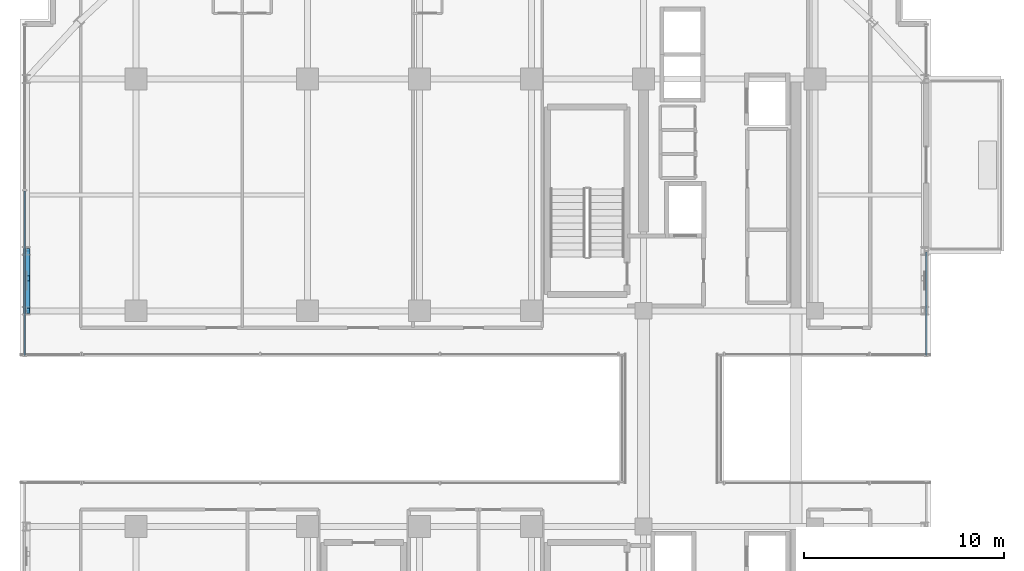
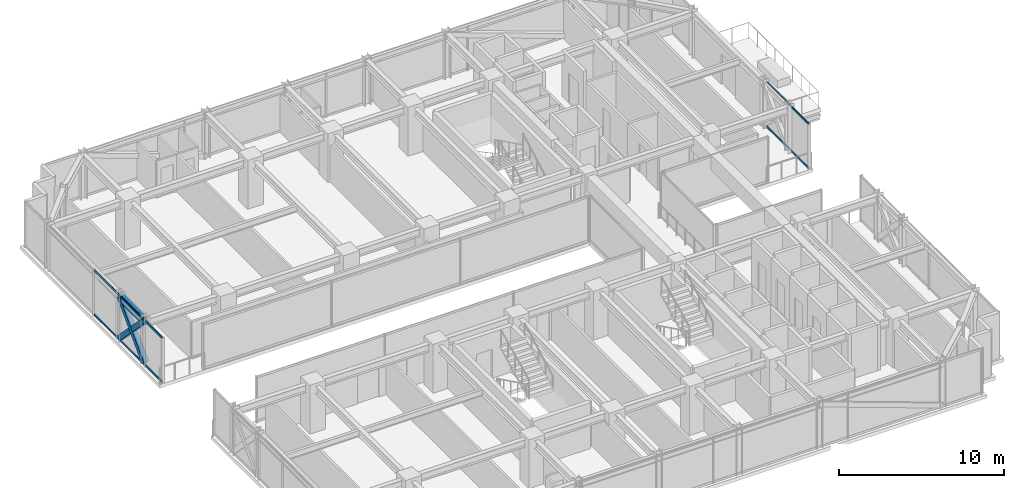
# One storey, part 18 of 38: 7 members, 1 beam, 2 elements without a shape of their own.
"""IFC4 building model written with IfcOpenShell, lengths in metres."""

from ifc_helpers import new_model, si_unit, direction, frame, origin, origin_2d, place, context, subcontext, project, spatial, hollow_rectangle, i_section, extrude, source, transform, mapped, material, material_profile, profile_set, type_object, element, aggregate, save


model = new_model("IFC4")

# Units and contexts
model_context = context("Model", 3, precision=1e-05, world=origin(), true_north=direction((0.0, 1.0)))
body_context = subcontext(model_context, "Body", "Model", "MODEL_VIEW")
ifc_project = project(units=[si_unit("LENGTHUNIT", "METRE"), si_unit("AREAUNIT", "SQUARE_METRE"), si_unit("VOLUMEUNIT", "CUBIC_METRE"), si_unit("PLANEANGLEUNIT", "RADIAN"), si_unit("MASSUNIT", "GRAM", prefix="KILO")], contexts=[model_context])

# Site, building, storey
site_placement = place(None, origin())
site = spatial("IfcSite", under=ifc_project, at=site_placement, CompositionType="ELEMENT")
building_placement = place(site_placement, origin())
building = spatial("IfcBuilding", under=site, at=building_placement, Name="Nahalor Promenade Grand Hotel", CompositionType="ELEMENT")
storey_placement = place(building_placement, frame((0.0, 0.0, 178.199951171875)))
storey = spatial("IfcBuildingStorey", under=building, at=storey_placement, Name="L45", CompositionType="ELEMENT", Elevation=178.199951171875)

# Beam
ifc_material_1 = material(Name="Steel S355JR", Category="steel")
ifc_material_profile_1 = material_profile(ifc_material_1, i_section(OverallWidth=0.3, OverallDepth=0.45, WebThickness=0.014, FlangeThickness=0.026, at=origin_2d()), Name="HEB 450")
ifc_profile_set_1 = profile_set([ifc_material_profile_1], Name="Steel S355JR")
beam_type = type_object("IfcBeamType", Name="Beam-Spandrel-HEB450", PredefinedType="SPANDREL", material=ifc_profile_set_1)
shared_shape_1 = source(origin(), body_context, "Body", "SweptSolid", [
    extrude(i_section(OverallWidth=0.3, OverallDepth=0.45, WebThickness=0.014, FlangeThickness=0.026, at=origin_2d()), origin(), (0.0, 0.0, 1.0), 3.0),
])
beam_placement = place(storey_placement, frame((-22.47998046875, 5.39990234375, 3.1650390625), z_axis=(0.0, 1.0, 0.0), x_axis=(-1.0, 0.0, 0.0)))
element("IfcBeam", 1, at=beam_placement, inside=storey, type_object=beam_type, Name="BM-L45-SP-W-3", PredefinedType="SPANDREL", context=body_context, shape_type="MappedRepresentation", body=[
    mapped(shared_shape_1, transform((0.0, 0.0, 0.0), scale=1.0)),
])

# Members
ifc_material_profile_2 = material_profile(ifc_material_1, hollow_rectangle(XDim=0.35, YDim=0.35, WallThickness=0.02, at=origin_2d()), Name="SHS 350x350x20")
ifc_profile_set_2 = profile_set([ifc_material_profile_2], Name="Steel S355JR")
member_type_1 = type_object("IfcMemberType", Name="Mem-VoidBrace-SHS350", PredefinedType="BRACE", material=ifc_profile_set_2)
shared_shape_2 = source(origin(), body_context, "Body", "SweptSolid", [
    extrude(hollow_rectangle(XDim=0.35, YDim=0.35, WallThickness=0.02, at=origin_2d()), origin(), (0.0, 0.0, 1.0), 4.306640625),
])
member_1_placement = place(storey_placement, frame((-22.47998046875, 5.39990234375, 0.150146484375), z_axis=(0.0, 0.696598997639, 0.717460686371), x_axis=(-1.0, 0.0, 0.0)))
element("IfcMember", 2, at=member_1_placement, inside=storey, type_object=member_type_1, Name="EXO-L45-VX1-W1", PredefinedType="BRACE", context=body_context, shape_type="MappedRepresentation", body=[
    mapped(shared_shape_2, transform((0.0, 0.0, 0.0), scale=1.0)),
])
shared_shape_3 = source(origin(), body_context, "Body", "SweptSolid", [
    extrude(hollow_rectangle(XDim=0.35, YDim=0.35, WallThickness=0.02, at=origin_2d()), origin(), (0.0, 0.0, 1.0), 1.96630859375),
])
member_2_placement = place(storey_placement, frame((-22.47998046875, 6.769775390625, 1.829345703125), z_axis=(0.0, -0.696663391113, 0.71739815966), x_axis=(1.0, 0.0, 0.0)))
element("IfcMember", 3, at=member_2_placement, inside=storey, type_object=member_type_1, Name="EXO-L45-VX2-W1B", PredefinedType="BRACE", context=body_context, shape_type="MappedRepresentation", body=[
    mapped(shared_shape_3, transform((0.0, 0.0, 0.0), scale=1.0)),
])
shared_shape_4 = source(origin(), body_context, "Body", "SweptSolid", [
    extrude(hollow_rectangle(XDim=0.35, YDim=0.35, WallThickness=0.02, at=origin_2d()), origin(), (0.0, 0.0, 1.0), 1.966064453125),
])
member_3_placement = place(storey_placement, frame((-22.47998046875, 8.39990234375, 0.150146484375), z_axis=(0.0, -0.696599482471, 0.717460215636), x_axis=(1.0, 0.0, 0.0)))
element("IfcMember", 4, at=member_3_placement, inside=storey, type_object=member_type_1, Name="EXO-L45-VX2-W1A", PredefinedType="BRACE", context=body_context, shape_type="MappedRepresentation", body=[
    mapped(shared_shape_4, transform((0.0, 0.0, 0.0), scale=1.0)),
])

# Curtain wall, members
ifc_material_2 = material(Name="Anodised Bronze Aluminium EN AW-6063 T6", Category="aluminium")
curtain_wall_type = type_object("IfcCurtainWallType", Name="CW3 Elliptical-Void Collar Unitised Curtain Wall", PredefinedType="USERDEFINED", material=ifc_material_2)
curtain_wall_1_placement = place(storey_placement, origin())
curtain_wall_1 = element("IfcCurtainWall", 5, at=curtain_wall_1_placement, inside=storey, type_object=curtain_wall_type, Name="L45 Curtain Wall CW-L45-E-2", ObjectType="UNITISED_CURTAIN_WALL", PredefinedType="USERDEFINED")
ifc_material_profile_3 = material_profile(ifc_material_2, hollow_rectangle(XDim=0.07, YDim=0.14, WallThickness=0.004, at=origin_2d()), Name="CWT 70x140x4")
ifc_profile_set_3 = profile_set([ifc_material_profile_3], Name="Anodised Bronze Aluminium EN AW-6063 T6")
member_type_2 = type_object("IfcMemberType", Name="CWT3 Void Collar Transom 70x140", PredefinedType="USERDEFINED", material=ifc_profile_set_3)
shared_shape_5 = source(origin(), body_context, "Body", "SweptSolid", [
    extrude(hollow_rectangle(XDim=0.07, YDim=0.14, WallThickness=0.004, at=origin_2d()), origin(), (0.0, 0.0, 1.0), 5.16015625),
])
member_4_placement = place(storey_placement, frame((22.56005859375, 3.169921875, 0.070068359375), z_axis=(0.0, 1.0, 0.0), x_axis=(-1.0, 0.0, 0.0)))
member_4 = element("IfcMember", 6, at=member_4_placement, type_object=member_type_2, Name="CW-L45-E-2 Transom 0-0", ObjectType="TRANSOM", PredefinedType="USERDEFINED", context=body_context, shape_type="MappedRepresentation", body=[
    mapped(shared_shape_5, transform((0.0, 0.0, 0.0), scale=1.0)),
])
member_5_placement = place(storey_placement, frame((22.56005859375, 3.169921875, 3.320068359375), z_axis=(0.0, 1.0, 0.0), x_axis=(-1.0, 0.0, 0.0)))
member_5 = element("IfcMember", 7, at=member_5_placement, type_object=member_type_2, Name="CW-L45-E-2 Transom 0-1", ObjectType="TRANSOM", PredefinedType="USERDEFINED", context=body_context, shape_type="MappedRepresentation", body=[
    mapped(shared_shape_5, transform((0.0, 0.0, 0.0), scale=1.0)),
])
aggregate(curtain_wall_1, [member_4, member_5])

curtain_wall_2_placement = place(storey_placement, origin())
curtain_wall_2 = element("IfcCurtainWall", 8, at=curtain_wall_2_placement, inside=storey, type_object=curtain_wall_type, Name="L45 Curtain Wall CW-L45-W-2", ObjectType="UNITISED_CURTAIN_WALL", PredefinedType="USERDEFINED")
shared_shape_6 = source(origin(), body_context, "Body", "SweptSolid", [
    extrude(hollow_rectangle(XDim=0.07, YDim=0.14, WallThickness=0.004, at=origin_2d()), origin(), (0.0, 0.0, 1.0), 8.22509765625),
])
member_6_placement = place(storey_placement, frame((-22.56005859375, 3.169921875, 0.070068359375), z_axis=(0.0, 1.0, 0.0), x_axis=(-1.0, 0.0, 0.0)))
member_6 = element("IfcMember", 9, at=member_6_placement, type_object=member_type_2, Name="CW-L45-W-2 Transom 0-0", ObjectType="TRANSOM", PredefinedType="USERDEFINED", context=body_context, shape_type="MappedRepresentation", body=[
    mapped(shared_shape_6, transform((0.0, 0.0, 0.0), scale=1.0)),
])
member_7_placement = place(storey_placement, frame((-22.56005859375, 3.169921875, 3.320068359375), z_axis=(0.0, 1.0, 0.0), x_axis=(-1.0, 0.0, 0.0)))
member_7 = element("IfcMember", 10, at=member_7_placement, type_object=member_type_2, Name="CW-L45-W-2 Transom 0-1", ObjectType="TRANSOM", PredefinedType="USERDEFINED", context=body_context, shape_type="MappedRepresentation", body=[
    mapped(shared_shape_6, transform((0.0, 0.0, 0.0), scale=1.0)),
])
aggregate(curtain_wall_2, [member_6, member_7])

save(model, "model.ifc")
